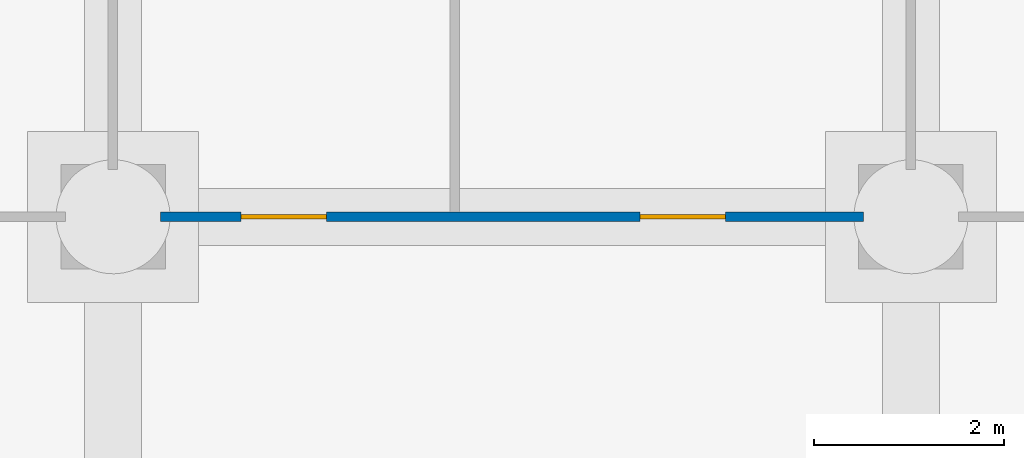
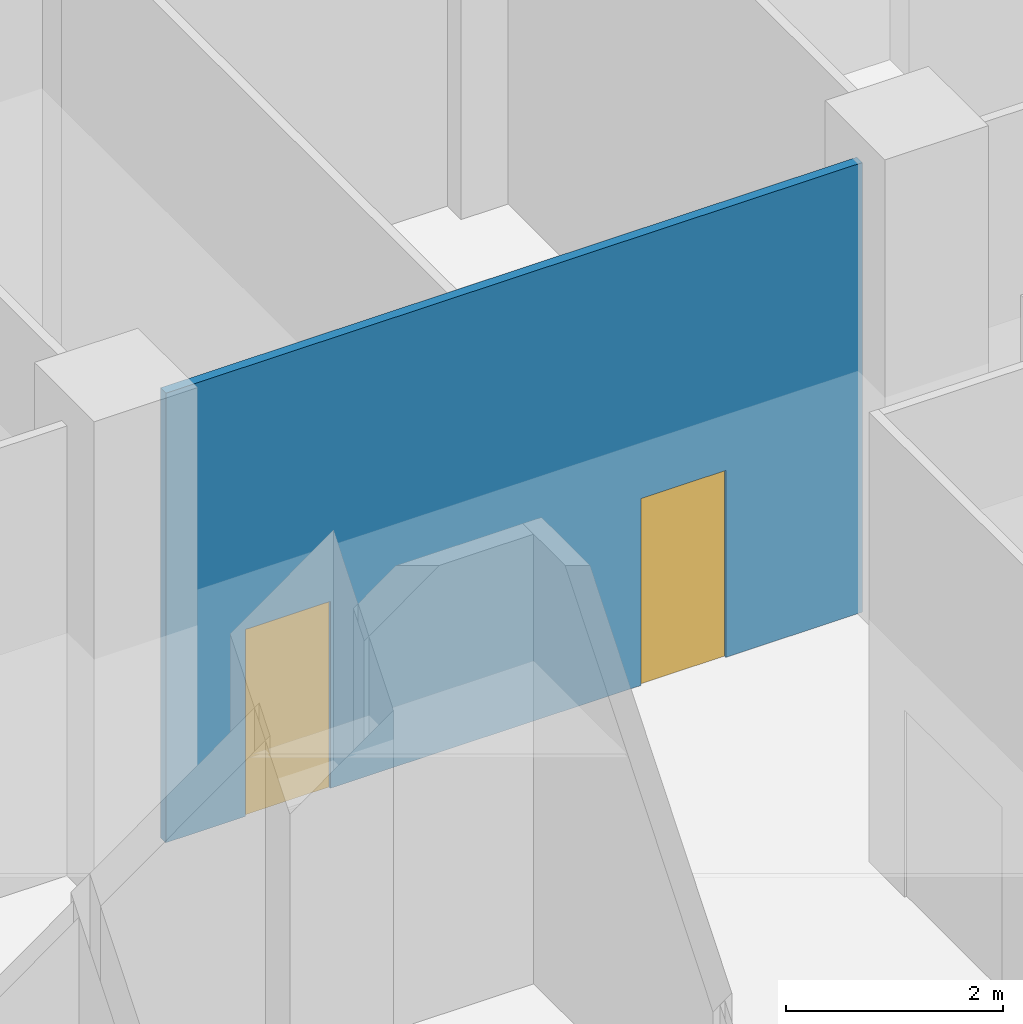
# One storey, part 74 of 146: 2 doors, 1 wall, 2 openings.
"""IFC4 building model written with IfcOpenShell, lengths in metres."""

from ifc_helpers import new_model, si_unit, direction, frame, frame_2d, origin, place, context, subcontext, project, spatial, rectangle, extrude, material, layer, layer_set, type_object, element, fill, save


model = new_model("IFC4")

# Units and contexts
model_context = context("Model", 3, precision=1e-05, world=origin(), true_north=direction((0.0, 1.0)))
body_context = subcontext(model_context, "Body", "Model", "MODEL_VIEW")
ifc_project = project(units=[si_unit("LENGTHUNIT", "METRE"), si_unit("AREAUNIT", "SQUARE_METRE"), si_unit("VOLUMEUNIT", "CUBIC_METRE"), si_unit("PLANEANGLEUNIT", "RADIAN"), si_unit("MASSUNIT", "GRAM", prefix="KILO")], contexts=[model_context])

# Site, building, storey
site_placement = place(None, origin())
site = spatial("IfcSite", under=ifc_project, at=site_placement, CompositionType="ELEMENT")
building_placement = place(site_placement, origin())
building = spatial("IfcBuilding", under=site, at=building_placement, Name="Bougainvillea Quay General Hospital", CompositionType="ELEMENT")
storey_placement = place(building_placement, origin())
storey = spatial("IfcBuildingStorey", under=building, at=storey_placement, Name="L00", CompositionType="ELEMENT", Elevation=0.0)

# Wall, openings, doors
ifc_material_1 = material(Name="Gypsum board partition on steel studs", Category="steel")
ifc_layer = layer(ifc_material_1, 0.10009765625)
ifc_layer_set = layer_set([ifc_layer], Name="Gypsum board partition on steel studs")
wall_type = type_object("IfcWallType", Name="Partition 100 Gypsum board partition", PredefinedType="PARTITIONING", material=ifc_layer_set)
wall_placement = place(storey_placement, frame((125.5, 151.800048828125, 0.0), z_axis=(0.0, 0.0, 1.0), x_axis=(-1.0, 0.0, 0.0)))
wall = element("IfcWall", 1, at=wall_placement, inside=storey, type_object=wall_type, Name="Partition 100 mm", PredefinedType="PARTITIONING", context=body_context, shape_type="SweptSolid", body=[
    extrude(rectangle(XDim=7.39990234375, YDim=0.10009765625, at=frame_2d((3.699951171875, 0.0))), origin(), (0.0, 0.0, 1.0), 5.050048828125),
])
opening_1_placement = place(wall_placement, frame((5.652099609375, 0.0, 0.0)))
opening_1 = element("IfcOpeningElement", 2, at=opening_1_placement, cuts=wall, Name="Opening L00.187", PredefinedType="OPENING", context=body_context, shape_type="SweptSolid", body=[
    extrude(rectangle(XDim=0.89990234375, YDim=2.10009765625, at=frame_2d((0.449951171875, 1.050048828125))), frame((0.0, 0.06005859375, 0.0), z_axis=(0.0, -1.0, 0.0), x_axis=(1.0, 0.0, 0.0)), (0.0, 0.0, 1.0), 0.1201171875),
])
opening_2_placement = place(wall_placement, frame((1.450927734375, 0.0, 0.0)))
opening_2 = element("IfcOpeningElement", 3, at=opening_2_placement, cuts=wall, Name="Opening L00.188", PredefinedType="OPENING", context=body_context, shape_type="SweptSolid", body=[
    extrude(rectangle(XDim=0.89990234375, YDim=2.10009765625, at=frame_2d((0.449951171875, 1.050048828125))), frame((0.0, 0.06005859375, 0.0), z_axis=(0.0, -1.0, 0.0), x_axis=(1.0, 0.0, 0.0)), (0.0, 0.0, 1.0), 0.1201171875),
])
ifc_material_2 = material(Name="Solid-core timber door leaf in steel frame", Category="steel")
door_type = type_object("IfcDoorType", Name="Single leaf door 900x2100", OperationType="NOTDEFINED", PredefinedType="DOOR", material=ifc_material_2)
door_1_placement = place(opening_1_placement, frame((0.89990234375, 0.0, 0.0), z_axis=(0.0, 0.0, 1.0), x_axis=(-1.0, 0.0, 0.0)))
door_1 = element("IfcDoor", 4, at=door_1_placement, inside=storey, type_object=door_type, Name="DT07 L00.187", OperationType="SINGLE_SWING_LEFT", OverallHeight=2.10009765625, OverallWidth=0.89990234375, PredefinedType="DOOR", context=body_context, shape_type="SweptSolid", body=[
    extrude(rectangle(XDim=0.89990234375, YDim=2.10009765625, at=frame_2d((0.449951171875, 1.050048828125))), frame((0.0, 0.02490234375, 0.0), z_axis=(0.0, -1.0, 0.0), x_axis=(1.0, 0.0, 0.0)), (0.0, 0.0, 1.0), 0.050048828125),
])
fill(opening_1, door_1)
door_2_placement = place(opening_2_placement, frame((0.89990234375, 0.0, 0.0), z_axis=(0.0, 0.0, 1.0), x_axis=(-1.0, 0.0, 0.0)))
door_2 = element("IfcDoor", 5, at=door_2_placement, inside=storey, type_object=door_type, Name="DT07 L00.188", OperationType="SINGLE_SWING_RIGHT", OverallHeight=2.10009765625, OverallWidth=0.89990234375, PredefinedType="DOOR", context=body_context, shape_type="SweptSolid", body=[
    extrude(rectangle(XDim=0.89990234375, YDim=2.10009765625, at=frame_2d((0.449951171875, 1.050048828125))), frame((0.0, 0.02490234375, 0.0), z_axis=(0.0, -1.0, 0.0), x_axis=(1.0, 0.0, 0.0)), (0.0, 0.0, 1.0), 0.050048828125),
])
fill(opening_2, door_2)

save(model, "model.ifc")
